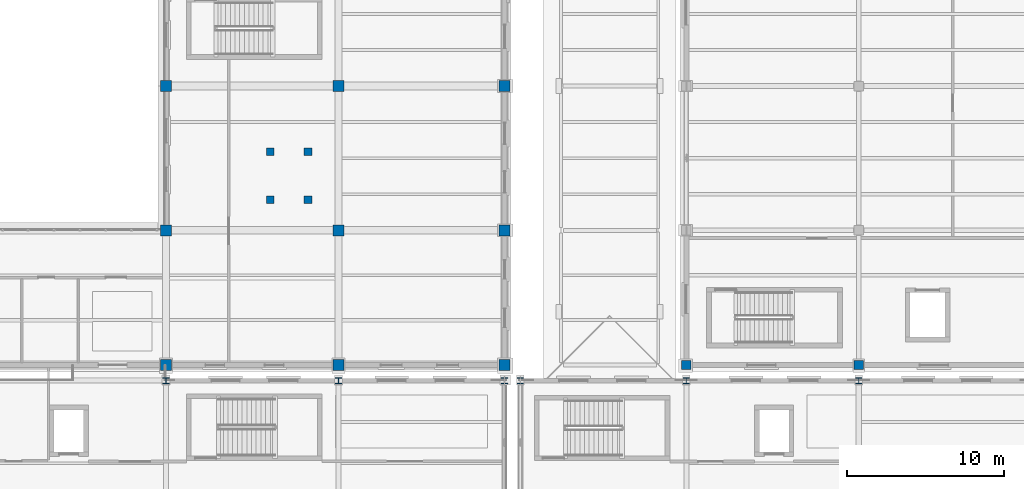
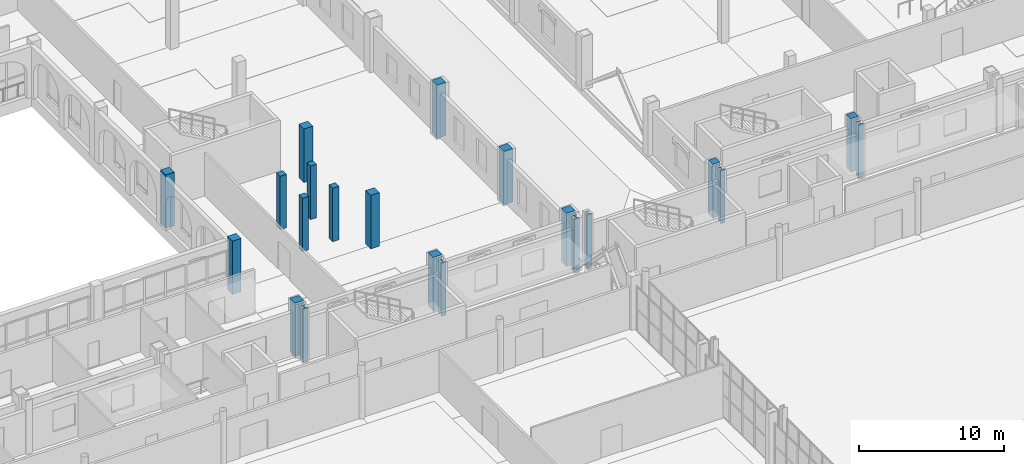
# One storey, part 7 of 156: 21 columns.
"""IFC4 building model written with IfcOpenShell, lengths in metres."""

import ifcopenshell
import ifcopenshell.guid

model = None  # the IFC model being written
_history = None  # IfcOwnerHistory: only IFC2X3 demands one
_inside = {}  # id of a spatial element -> (the spatial element, [elements in it])
_under = {}  # id of a project, library or spatial element -> (it, [spatial elements below it])
_declared = {}  # id of a project -> (the project, [libraries it declares])
_typed = {}  # id of a type object -> (the type object, [elements of that type])
_made_of = {}  # id of a material, layer set ... -> (it, [elements and type objects made of it])


def new_model(schema):
    """Start an empty IFC model of exactly this schema.

    Asked for "IFC4X3", IfcOpenShell would pick the latest addendum, in which some entities
    have other attributes; the version numbers below select the first issue.
    IFC2X3 requires an IfcOwnerHistory on every rooted entity: one is made here for all.
    """
    global model, _history
    if schema == "IFC4X3":
        model = ifcopenshell.file(schema_version=(4, 3, 0, 0))
    else:
        model = ifcopenshell.file(schema=schema)
    _inside.clear()
    _under.clear()
    _declared.clear()
    _typed.clear()
    _made_of.clear()
    _history = None
    if model.schema == "IFC2X3":
        org = make("IfcOrganization", Name="unknown")
        user = make(
            "IfcPersonAndOrganization",
            ThePerson=make("IfcPerson", FamilyName="unknown"),
            TheOrganization=org,
        )
        app = make(
            "IfcApplication",
            ApplicationDeveloper=org,
            Version="unknown",
            ApplicationFullName="unknown",
            ApplicationIdentifier="unknown",
        )
        _history = make(
            "IfcOwnerHistory",
            OwningUser=user,
            OwningApplication=app,
            ChangeAction="ADDED",
            CreationDate=0,
        )
    return model


def make(cls, **values):
    """One entity of the class cls with the attributes given. An attribute that is None is left unset."""
    return model.create_entity(
        cls, **{name: value for name, value in values.items() if value is not None}
    )


def rooted(cls, **values):
    """An entity with a GlobalId (a new one), such as an element, a storey or a relation."""
    return make(cls, GlobalId=ifcopenshell.guid.new(), OwnerHistory=_history, **values)


def si_unit(unit_type, name, prefix=None):
    """IfcSIUnit, for example si_unit("LENGTHUNIT", "METRE", prefix="MILLI")."""
    return make("IfcSIUnit", UnitType=unit_type, Prefix=prefix, Name=name)


def assignment(units):
    """IfcUnitAssignment: the units of a project."""
    return None if units is None else make("IfcUnitAssignment", Units=units)


def point(xyz):
    """IfcCartesianPoint."""
    return None if xyz is None else make("IfcCartesianPoint", Coordinates=xyz)


def direction(xyz):
    """IfcDirection."""
    return None if xyz is None else make("IfcDirection", DirectionRatios=xyz)


def frame(location, z_axis=None, x_axis=None):
    """IfcAxis2Placement3D, a coordinate frame: its origin and axes. An axis left out is left unset."""
    return make(
        "IfcAxis2Placement3D",
        Location=point(location),
        Axis=direction(z_axis),
        RefDirection=direction(x_axis),
    )


def frame_2d(location, x_axis=None):
    """IfcAxis2Placement2D, a coordinate frame in the plane: its origin and x axis."""
    return make(
        "IfcAxis2Placement2D", Location=point(location), RefDirection=direction(x_axis)
    )


def origin():
    """The frame at (0, 0, 0) with its axes left unset."""
    return frame((0.0, 0.0, 0.0))


def origin_2d():
    """The frame at (0, 0) in the plane with its x axis left unset."""
    return frame_2d((0.0, 0.0))


def place(relative_to, where):
    """IfcLocalPlacement: puts the frame where relative to a parent placement (None: the world)."""
    return make(
        "IfcLocalPlacement", PlacementRelTo=relative_to, RelativePlacement=where
    )


def context(
    kind, dimensions, precision=None, world=None, true_north=None, identifier=None
):
    """IfcGeometricRepresentationContext, for example the 3D "Model" context."""
    return make(
        "IfcGeometricRepresentationContext",
        ContextIdentifier=identifier,
        ContextType=kind,
        CoordinateSpaceDimension=dimensions,
        Precision=precision,
        WorldCoordinateSystem=world,
        TrueNorth=true_north,
    )


def subcontext(parent, identifier, kind, view, scale=None):
    """IfcGeometricRepresentationSubContext, for example "Body" below "Model"."""
    return make(
        "IfcGeometricRepresentationSubContext",
        ContextIdentifier=identifier,
        ContextType=kind,
        ParentContext=parent,
        TargetScale=scale,
        TargetView=view,
    )


def project(units=None, contexts=None):
    """IfcProject with its units and contexts."""
    return rooted(
        "IfcProject",
        Name="project",
        RepresentationContexts=contexts,
        UnitsInContext=assignment(units),
    )


def spatial(cls, under=None, at=None, **own):
    """A site, building, storey or space (cls), placed at a placement, below another one or the project."""
    s = rooted(cls, ObjectPlacement=at, **own)
    if under is not None:
        _under.setdefault(under.id(), (under, []))[1].append(s)
    return s


def profile(cls, at=None, kind="AREA", **sizes):
    """A parametric profile (cls). Its sizes go by their IFC names, for example OverallWidth=200.0."""
    return make(cls, ProfileType=kind, Position=at, **sizes)


def rectangle(**sizes):
    """IfcRectangleProfileDef."""
    return profile("IfcRectangleProfileDef", **sizes)


def i_section(**sizes):
    """IfcIShapeProfileDef."""
    return profile("IfcIShapeProfileDef", **sizes)


def extrude(swept, where, along, depth):
    """IfcExtrudedAreaSolid: the profile swept, set in the frame where, extruded along a direction by depth."""
    return make(
        "IfcExtrudedAreaSolid",
        SweptArea=swept,
        Position=where,
        ExtrudedDirection=direction(along),
        Depth=depth,
    )


def shape(context_of_items, identifier, shape_type, items):
    """IfcShapeRepresentation: the items that make up one representation, for example the "Body"."""
    return make(
        "IfcShapeRepresentation",
        ContextOfItems=context_of_items,
        RepresentationIdentifier=identifier,
        RepresentationType=shape_type,
        Items=items,
    )


def material(Name=None, Category=None):
    """IfcMaterial."""
    return make("IfcMaterial", Name=Name, Category=Category)


def material_profile(
    of_material, cross_section, Name=None, Category=None, Priority=None
):
    """IfcMaterialProfile: a cross section and its material."""
    return make(
        "IfcMaterialProfile",
        Name=Name,
        Material=of_material,
        Profile=cross_section,
        Priority=Priority,
        Category=Category,
    )


def profile_set(profiles, Name=None, composite=None):
    """IfcMaterialProfileSet."""
    return make(
        "IfcMaterialProfileSet",
        Name=Name,
        MaterialProfiles=profiles,
        CompositeProfile=composite,
    )


def made_of(thing, what):
    """Note that an element or type object is made of a material, layer set ...; save() writes the relation."""
    if what is not None:
        _made_of.setdefault(what.id(), (what, []))[1].append(thing)
    return thing


def type_object(cls, material=None, **own):
    """A type object (cls), such as IfcWallType, which elements share."""
    return made_of(rooted(cls, **own), material)


def element(
    cls,
    number,
    at=None,
    inside=None,
    cuts=None,
    type_object=None,
    material=None,
    context=None,
    identifier="Body",
    shape_type=None,
    held_by="IfcProductDefinitionShape",
    body=None,
    shapes=None,
    **own,
):
    """One element of the class cls, such as IfcWall. Its Tag is "e" and its number.

    at: its placement. inside: the storey or other place that contains it. cuts: it is an
    opening in that element (IfcRelVoidsElement). A single representation is given by context,
    identifier, shape_type and body (its items); several are given by shapes. held_by: the class
    of the entity that holds the representations. save() writes the other relations.
    """
    e = rooted(cls, Tag="e%d" % number, ObjectPlacement=at, **own)
    if body is not None:
        shapes = [shape(context, identifier, shape_type, body)]
    if shapes is not None:
        e.Representation = make(held_by, Representations=shapes)
    if inside is not None:
        _inside.setdefault(inside.id(), (inside, []))[1].append(e)
    if cuts is not None:
        rooted(
            "IfcRelVoidsElement", RelatingBuildingElement=cuts, RelatedOpeningElement=e
        )
    if type_object is not None:
        _typed.setdefault(type_object.id(), (type_object, []))[1].append(e)
    return made_of(e, material)


def aggregate(whole, parts):
    """IfcRelAggregates: a whole, such as a stair, and the parts it consists of."""
    return rooted("IfcRelAggregates", RelatingObject=whole, RelatedObjects=parts)


def save(model, path):
    """Write the relations noted so far, then the file.

    IfcRelAggregates (storeys below a building ...), IfcRelContainedInSpatialStructure (elements
    in a storey), IfcRelDefinesByType, IfcRelAssociatesMaterial and IfcRelDeclares: one each for
    every whole, place, type object, material and project.
    """
    for whole, parts in _under.values():
        aggregate(whole, parts)
    for where, things in _inside.values():
        rooted(
            "IfcRelContainedInSpatialStructure",
            RelatedElements=things,
            RelatingStructure=where,
        )
    for kind, things in _typed.values():
        rooted("IfcRelDefinesByType", RelatedObjects=things, RelatingType=kind)
    for what, things in _made_of.values():
        rooted("IfcRelAssociatesMaterial", RelatedObjects=things, RelatingMaterial=what)
    for by, libraries in _declared.values():
        rooted("IfcRelDeclares", RelatingContext=by, RelatedDefinitions=libraries)
    model.write(path)


model = new_model("IFC4")

# Units and contexts
model_context = context("Model", 3, precision=1e-05, world=origin(), true_north=direction((0.0, 1.0)))
body_context = subcontext(model_context, "Body", "Model", "MODEL_VIEW")
ifc_project = project(units=[si_unit("LENGTHUNIT", "METRE"), si_unit("AREAUNIT", "SQUARE_METRE"), si_unit("VOLUMEUNIT", "CUBIC_METRE"), si_unit("PLANEANGLEUNIT", "RADIAN"), si_unit("MASSUNIT", "GRAM", prefix="KILO")], contexts=[model_context])

# Site, building, storey
site_placement = place(None, origin())
site = spatial("IfcSite", under=ifc_project, at=site_placement, CompositionType="ELEMENT")
building_placement = place(site_placement, origin())
building = spatial("IfcBuilding", under=site, at=building_placement, Name="Caurita Quay Ferry Terminal", CompositionType="ELEMENT")
storey_placement = place(building_placement, frame((0.0, 0.0, 5.39990234375)))
storey = spatial("IfcBuildingStorey", under=building, at=storey_placement, Name="L01", CompositionType="ELEMENT", Elevation=5.39990234375)

# Columns
ifc_material_1 = material(Name="Reinforced concrete C35/45", Category="concrete")
ifc_material_profile_1 = material_profile(ifc_material_1, rectangle(XDim=0.5, YDim=0.5, at=origin_2d()), Name="RC-COL-500X500")
ifc_profile_set_1 = profile_set([ifc_material_profile_1], Name="Reinforced concrete C35/45")
column_type_1 = type_object("IfcColumnType", Name="COL-RC-500", PredefinedType="COLUMN", material=ifc_profile_set_1)
for number, where, z_axis, x_axis, name in (
    (1, (72.64990234375, 82.14990234375, 0.0), (0.0, 0.0, 1.0), (1.0, 0.0, 0.0), "L01 Promenade Stair ST-14 Column SW"),
    (2, (72.64990234375, 85.2099609375, 0.0), (0.0, 0.0, 1.0), (1.0, 0.0, 0.0), "L01 Promenade Stair ST-14 Column NW"),
    (3, (75.050048828125, 82.14990234375, 0.0), (0.0, 0.0, 1.0), (1.0, 0.0, 0.0), "L01 Promenade Stair ST-14 Column SE"),
    (4, (75.050048828125, 85.2099609375, 0.0), (0.0, 0.0, 1.0), (1.0, 0.0, 0.0), "L01 Promenade Stair ST-14 Column NE"),
):
    element("IfcColumn", number, at=place(storey_placement, frame(where, z_axis=z_axis, x_axis=x_axis)), inside=storey, type_object=column_type_1, Name=name, PredefinedType="COLUMN", context=body_context, shape_type="SweptSolid", body=[
        extrude(rectangle(XDim=0.5, YDim=0.5, at=origin_2d()), origin(), (0.0, 0.0, 1.0), 4.5),
    ])
ifc_material_profile_2 = material_profile(ifc_material_1, rectangle(XDim=0.60009765625, YDim=0.60009765625, at=origin_2d()), Name="RC-COL-600X600")
ifc_profile_set_2 = profile_set([ifc_material_profile_2], Name="Reinforced concrete C35/45")
column_type_2 = type_object("IfcColumnType", Name="COL-RC-600", PredefinedType="COLUMN", material=ifc_profile_set_2)
for number, where, z_axis, x_axis, name in (
    (5, (99.199951171875, 71.60009765625, 0.0), (0.0, 0.0, 1.0), (1.0, 0.0, 0.0), "L01 Column V4-11-L"),
    (6, (110.199951171875, 71.60009765625, 0.0), (0.0, 0.0, 1.0), (1.0, 0.0, 0.0), "L01 Column V4-12-L"),
):
    element("IfcColumn", number, at=place(storey_placement, frame(where, z_axis=z_axis, x_axis=x_axis)), inside=storey, type_object=column_type_2, Name=name, PredefinedType="COLUMN", context=body_context, shape_type="SweptSolid", body=[
        extrude(rectangle(XDim=0.60009765625, YDim=0.60009765625, at=origin_2d()), origin(), (0.0, 0.0, 1.0), 4.5),
    ])
ifc_material_profile_3 = material_profile(ifc_material_1, rectangle(XDim=0.699951171875, YDim=0.699951171875, at=origin_2d()), Name="RC-COL-700X700")
ifc_profile_set_3 = profile_set([ifc_material_profile_3], Name="Reinforced concrete C35/45")
column_type_3 = type_object("IfcColumnType", Name="COL-RC-700", PredefinedType="COLUMN", material=ifc_profile_set_3)
for number, where, z_axis, x_axis, name in (
    (7, (66.0, 71.60009765625, 0.0), (0.0, 0.0, 1.0), (1.0, 0.0, 0.0), "L01 Column V5-07-L"),
    (8, (66.0, 80.199951171875, 0.0), (0.0, 0.0, 1.0), (1.0, 0.0, 0.0), "L01 Column V5-07-M"),
    (9, (66.0, 89.39990234375, 0.0), (0.0, 0.0, 1.0), (1.0, 0.0, 0.0), "L01 Column V5-07-N"),
    (10, (77.0, 71.60009765625, 0.0), (0.0, 0.0, 1.0), (1.0, 0.0, 0.0), "L01 Column V5-08-L"),
    (11, (77.0, 80.199951171875, 0.0), (0.0, 0.0, 1.0), (1.0, 0.0, 0.0), "L01 Column V5-08-M"),
    (12, (77.0, 89.39990234375, 0.0), (0.0, 0.0, 1.0), (1.0, 0.0, 0.0), "L01 Column V5-08-N"),
    (13, (87.60009765625, 71.60009765625, 0.0), (0.0, 0.0, 1.0), (1.0, 0.0, 0.0), "L01 Column V5-09-L"),
    (14, (87.60009765625, 80.199951171875, 0.0), (0.0, 0.0, 1.0), (1.0, 0.0, 0.0), "L01 Column V5-09-M"),
    (15, (87.60009765625, 89.39990234375, 0.0), (0.0, 0.0, 1.0), (1.0, 0.0, 0.0), "L01 Column V5-09-N"),
):
    element("IfcColumn", number, at=place(storey_placement, frame(where, z_axis=z_axis, x_axis=x_axis)), inside=storey, type_object=column_type_3, Name=name, PredefinedType="COLUMN", context=body_context, shape_type="SweptSolid", body=[
        extrude(rectangle(XDim=0.699951171875, YDim=0.699951171875, at=origin_2d()), origin(), (0.0, 0.0, 1.0), 4.5),
    ])
ifc_material_2 = material(Name="Structural steel ASTM A992 Gr. 50", Category="steel")
ifc_material_profile_4 = material_profile(ifc_material_2, i_section(OverallWidth=0.393798828125, OverallDepth=0.3759765625, WebThickness=0.017333984375, FlangeThickness=0.027587890625, FilletRadius=0.017822265625, at=origin_2d()), Name="W14X145")
ifc_profile_set_4 = profile_set([ifc_material_profile_4], Name="Structural steel ASTM A992 Gr. 50")
column_type_4 = type_object("IfcColumnType", Name="COL-STL-06", PredefinedType="COLUMN", material=ifc_profile_set_4)
for number, where, z_axis, x_axis, name in (
    (16, (66.0, 70.60009765625, 0.0), (0.0, 0.0, 1.0), (1.0, 0.0, 0.0), "L01 Column V1-NTH-07-K"),
    (17, (77.0, 70.60009765625, 0.0), (0.0, 0.0, 1.0), (1.0, 0.0, 0.0), "L01 Column V1-NTH-08-K"),
    (18, (87.60009765625, 70.60009765625, 0.0), (0.0, 0.0, 1.0), (1.0, 0.0, 0.0), "L01 Column V1-NTH-09-K"),
):
    element("IfcColumn", number, at=place(storey_placement, frame(where, z_axis=z_axis, x_axis=x_axis)), inside=storey, type_object=column_type_4, Name=name, PredefinedType="COLUMN", context=body_context, shape_type="SweptSolid", body=[
        extrude(i_section(OverallWidth=0.393798828125, OverallDepth=0.3759765625, WebThickness=0.017333984375, FlangeThickness=0.027587890625, FilletRadius=0.017822265625, at=origin_2d()), origin(), (0.0, 0.0, 1.0), 4.5),
    ])
ifc_material_profile_5 = material_profile(ifc_material_2, i_section(OverallWidth=0.373046875, OverallDepth=0.367919921875, WebThickness=0.014892578125, FlangeThickness=0.02392578125, at=origin_2d()), Name="W14X120")
ifc_profile_set_5 = profile_set([ifc_material_profile_5], Name="Structural steel ASTM A992 Gr. 50")
column_type_5 = type_object("IfcColumnType", Name="COL-STL-07", PredefinedType="COLUMN", material=ifc_profile_set_5)
for number, where, z_axis, x_axis, name in (
    (19, (88.60009765625, 70.60009765625, 0.0), (0.0, 0.0, 1.0), (1.0, 0.0, 0.0), "L01 Column V2-NTH-10-K"),
    (20, (99.199951171875, 70.60009765625, 0.0), (0.0, 0.0, 1.0), (1.0, 0.0, 0.0), "L01 Column V2-NTH-11-K"),
    (21, (110.199951171875, 70.60009765625, 0.0), (0.0, 0.0, 1.0), (1.0, 0.0, 0.0), "L01 Column V2-NTH-12-K"),
):
    element("IfcColumn", number, at=place(storey_placement, frame(where, z_axis=z_axis, x_axis=x_axis)), inside=storey, type_object=column_type_5, Name=name, PredefinedType="COLUMN", context=body_context, shape_type="SweptSolid", body=[
        extrude(i_section(OverallWidth=0.373046875, OverallDepth=0.367919921875, WebThickness=0.014892578125, FlangeThickness=0.02392578125, at=origin_2d()), origin(), (0.0, 0.0, 1.0), 4.5),
    ])

save(model, "model.ifc")
